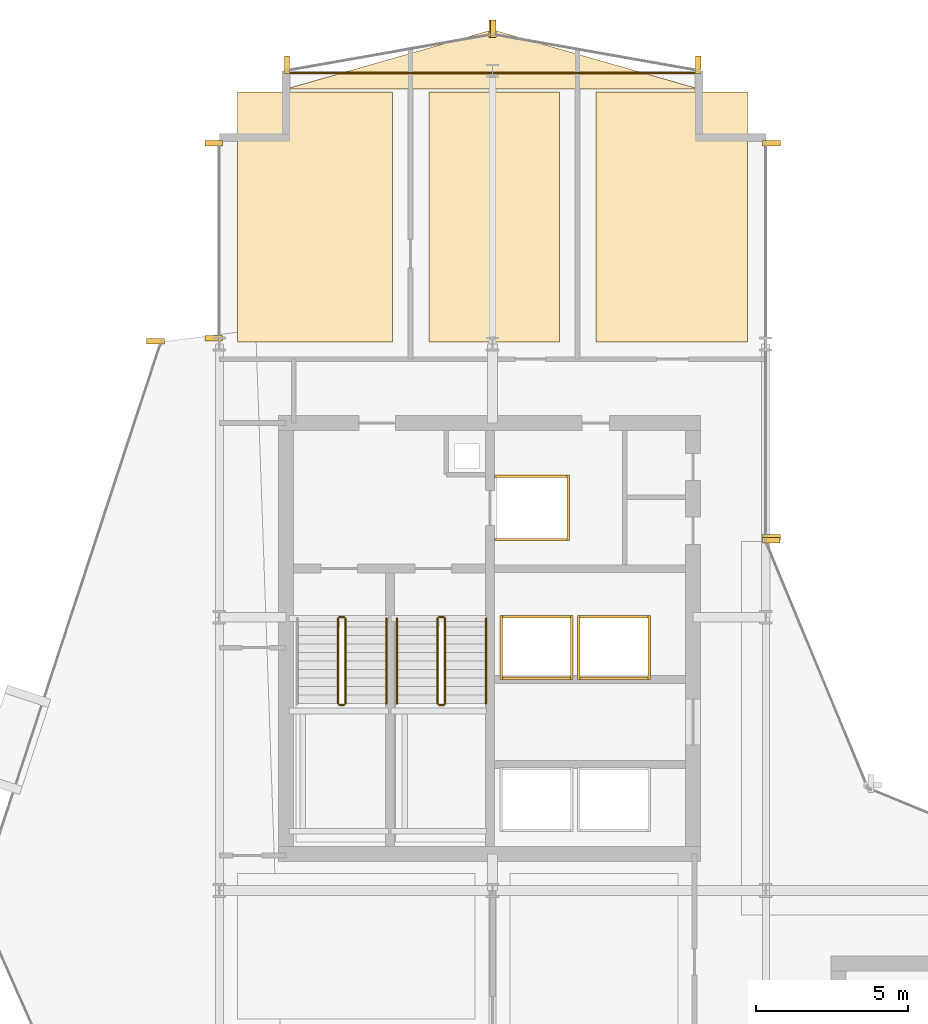
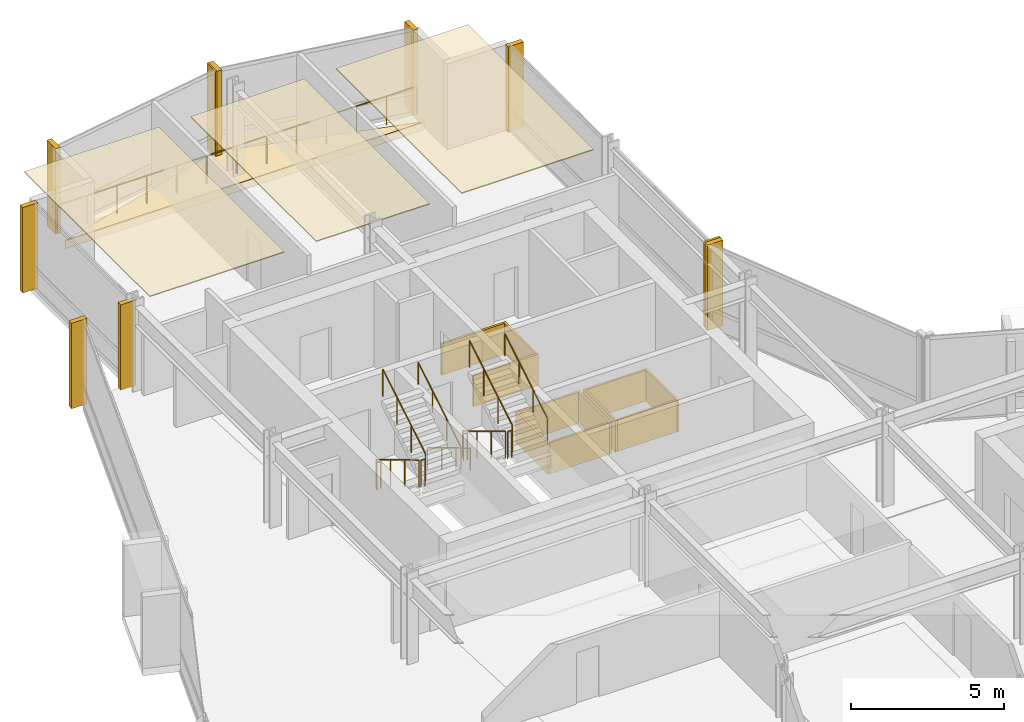
# One storey, part 29 of 29: 25 coverings, 12 railings.
"""IFC4 building model written with IfcOpenShell, lengths in metres."""

from ifc_helpers import new_model, si_unit, direction, frame, origin, origin_2d, place, context, subcontext, project, spatial, polyline, rectangle, circle, outline, extrude, material, layer, layer_set, type_object, element, save


model = new_model("IFC4")

# Units and contexts
model_context = context("Model", 3, precision=1e-05, world=origin(), true_north=direction((0.0, 1.0)))
body_context = subcontext(model_context, "Body", "Model", "MODEL_VIEW")
ifc_project = project(units=[si_unit("LENGTHUNIT", "METRE"), si_unit("AREAUNIT", "SQUARE_METRE"), si_unit("VOLUMEUNIT", "CUBIC_METRE"), si_unit("PLANEANGLEUNIT", "RADIAN"), si_unit("MASSUNIT", "GRAM", prefix="KILO")], contexts=[model_context])

# Site, building, storey
site_placement = place(None, origin())
site = spatial("IfcSite", under=ifc_project, at=site_placement, CompositionType="ELEMENT")
building_placement = place(site_placement, origin())
building = spatial("IfcBuilding", under=site, at=building_placement, Name="Solvaryn Broadcast Tower", CompositionType="ELEMENT")
storey_placement = place(building_placement, frame((0.0, 0.0, 128.5)))
storey = spatial("IfcBuildingStorey", under=building, at=storey_placement, Name="L31", CompositionType="ELEMENT", Elevation=128.5)

# Coverings
ifc_material_1 = material(Name="Micro-Perforated Acoustic Gypsum Ceiling", Category="concrete")
ifc_layer_1 = layer(ifc_material_1, 0.0400390625)
ifc_layer_set_1 = layer_set([ifc_layer_1], Name="CV-CEIL-ACOUSTIC")
covering_type_1 = type_object("IfcCoveringType", Name="CV-CEIL-ACOUSTIC", PredefinedType="CEILING", material=ifc_layer_set_1)
covering_1_placement = place(storey_placement, frame((0.0, 0.0, 3.3798828125)))
element("IfcCovering", 1, at=covering_1_placement, inside=storey, type_object=covering_type_1, Name="L31 Room Acoustic Ceiling 8", PredefinedType="CEILING", context=body_context, shape_type="SweptSolid", body=[
    extrude(outline(polyline([(9.60009765625, 45.070068359375), (14.699951171875, 45.070068359375), (14.699951171875, 53.300048828125), (9.60009765625, 53.300048828125), (9.60009765625, 45.070068359375)])), origin(), (0.0, 0.0, 1.0), 0.0400390625),
])
covering_2_placement = place(storey_placement, frame((0.0, 0.0, 3.3798828125)))
element("IfcCovering", 2, at=covering_2_placement, inside=storey, type_object=covering_type_1, Name="L31 Room Acoustic Ceiling 9", PredefinedType="CEILING", context=body_context, shape_type="SweptSolid", body=[
    extrude(outline(polyline([(15.89990234375, 45.070068359375), (20.199951171875, 45.070068359375), (20.199951171875, 53.300048828125), (15.89990234375, 53.300048828125), (15.89990234375, 45.070068359375)])), origin(), (0.0, 0.0, 1.0), 0.0400390625),
])
covering_3_placement = place(storey_placement, frame((0.0, 0.0, 3.3798828125)))
element("IfcCovering", 3, at=covering_3_placement, inside=storey, type_object=covering_type_1, Name="L31 Room Acoustic Ceiling 10", PredefinedType="CEILING", context=body_context, shape_type="SweptSolid", body=[
    extrude(outline(polyline([(21.39990234375, 45.070068359375), (26.39990234375, 45.070068359375), (26.39990234375, 53.300048828125), (21.39990234375, 53.300048828125), (21.39990234375, 45.070068359375)])), origin(), (0.0, 0.0, 1.0), 0.0400390625),
])
ifc_material_2 = material(Name="Fire-Rated Gypsum Shaftwall Liner", Category="concrete")
ifc_layer_2 = layer(ifc_material_2, 0.080078125)
ifc_layer_set_2 = layer_set([ifc_layer_2], Name="CV-SHAFT-LINER")
covering_type_2 = type_object("IfcCoveringType", Name="CV-SHAFT-LINER", PredefinedType="CLADDING", material=ifc_layer_set_2)
for number, where, z_axis, x_axis, name in (
    (4, (19.300048828125, 40.639892578125, 0.0), (0.0, 0.0, 1.0), (1.0, 0.0, 0.0), "L31 FL1 Hoistway Shaft Liner North"),
    (5, (19.300048828125, 38.56005859375, 0.0), (0.0, 0.0, 1.0), (1.0, 0.0, 0.0), "L31 FL1 Hoistway Shaft Liner South"),
):
    element("IfcCovering", number, at=place(storey_placement, frame(where, z_axis=z_axis, x_axis=x_axis)), inside=storey, type_object=covering_type_2, Name=name, PredefinedType="CLADDING", context=body_context, shape_type="SweptSolid", body=[
        extrude(rectangle(XDim=2.4599609375, YDim=0.080078125, at=origin_2d()), origin(), (0.0, 0.0, 1.0), 1.25),
    ])
covering_4_placement = place(storey_placement, frame((20.489990234375, 39.60009765625, 0.0), z_axis=(0.0, 0.0, 1.0), x_axis=(1.0, 0.0, 0.0)))
element("IfcCovering", 6, at=covering_4_placement, inside=storey, type_object=covering_type_2, Name="L31 FL1 Hoistway Shaft Liner East", PredefinedType="CLADDING", context=body_context, shape_type="SweptSolid", body=[
    extrude(rectangle(XDim=0.080078125, YDim=2.159912109375, at=origin_2d()), origin(), (0.0, 0.0, 1.0), 1.25),
])
for number, where, z_axis, x_axis, name in (
    (7, (19.449951171875, 36.014892578125, 0.0), (0.0, 0.0, 1.0), (1.0, 0.0, 0.0), "L31 PH3 Hoistway Shaft Liner North"),
    (8, (19.449951171875, 33.985107421875, 0.0), (0.0, 0.0, 1.0), (1.0, 0.0, 0.0), "L31 PH3 Hoistway Shaft Liner South"),
):
    element("IfcCovering", number, at=place(storey_placement, frame(where, z_axis=z_axis, x_axis=x_axis)), inside=storey, type_object=covering_type_2, Name=name, PredefinedType="CLADDING", context=body_context, shape_type="SweptSolid", body=[
        extrude(rectangle(XDim=2.409912109375, YDim=0.080078125, at=origin_2d()), origin(), (0.0, 0.0, 1.0), 1.25),
    ])
for number, where, z_axis, x_axis, name in (
    (9, (20.614990234375, 35.0, 0.0), (0.0, 0.0, 1.0), (1.0, 0.0, 0.0), "L31 PH3 Hoistway Shaft Liner East"),
    (10, (18.284912109375, 35.0, 0.0), (0.0, 0.0, 1.0), (1.0, 0.0, 0.0), "L31 PH3 Hoistway Shaft Liner West"),
):
    element("IfcCovering", number, at=place(storey_placement, frame(where, z_axis=z_axis, x_axis=x_axis)), inside=storey, type_object=covering_type_2, Name=name, PredefinedType="CLADDING", context=body_context, shape_type="SweptSolid", body=[
        extrude(rectangle(XDim=0.080078125, YDim=2.110107421875, at=origin_2d()), origin(), (0.0, 0.0, 1.0), 1.25),
    ])
for number, where, z_axis, x_axis, name in (
    (11, (22.0, 36.014892578125, 0.0), (0.0, 0.0, 1.0), (1.0, 0.0, 0.0), "L31 PH4 Hoistway Shaft Liner North"),
    (12, (22.0, 33.985107421875, 0.0), (0.0, 0.0, 1.0), (1.0, 0.0, 0.0), "L31 PH4 Hoistway Shaft Liner South"),
):
    element("IfcCovering", number, at=place(storey_placement, frame(where, z_axis=z_axis, x_axis=x_axis)), inside=storey, type_object=covering_type_2, Name=name, PredefinedType="CLADDING", context=body_context, shape_type="SweptSolid", body=[
        extrude(rectangle(XDim=2.409912109375, YDim=0.080078125, at=origin_2d()), origin(), (0.0, 0.0, 1.0), 1.25),
    ])
for number, where, z_axis, x_axis, name in (
    (13, (23.1650390625, 35.0, 0.0), (0.0, 0.0, 1.0), (1.0, 0.0, 0.0), "L31 PH4 Hoistway Shaft Liner East"),
    (14, (20.8349609375, 35.0, 0.0), (0.0, 0.0, 1.0), (1.0, 0.0, 0.0), "L31 PH4 Hoistway Shaft Liner West"),
):
    element("IfcCovering", number, at=place(storey_placement, frame(where, z_axis=z_axis, x_axis=x_axis)), inside=storey, type_object=covering_type_2, Name=name, PredefinedType="CLADDING", context=body_context, shape_type="SweptSolid", body=[
        extrude(rectangle(XDim=0.080078125, YDim=2.110107421875, at=origin_2d()), origin(), (0.0, 0.0, 1.0), 1.25),
    ])
ifc_material_3 = material(Name="Extruded Architectural Terracotta Fin", Category="masonry")
ifc_layer_3 = layer(ifc_material_3, 0.179931640625)
ifc_layer_set_3 = layer_set([ifc_layer_3], Name="CV-TC-FIN")
covering_type_3 = type_object("IfcCoveringType", Name="CV-TC-FIN", PredefinedType="USERDEFINED", material=ifc_layer_set_3)
for number, where, z_axis, x_axis, name in (
    (15, (6.898681640625, 45.0947265625, 0.0), (0.0, 0.0, 1.0), (1.0, 0.0, 0.0), "L31 Terracotta Vertical Fin FIN-L31-DR1-M00"),
    (16, (8.8125, 45.197021484375, 0.0), (0.0, 0.0, 1.0), (1.0, 0.0, 0.0), "L31 Terracotta Vertical Fin FIN-L31-W2-M00"),
    (17, (8.8125, 51.6201171875, 0.0), (0.0, 0.0, 1.0), (1.0, 0.0, 0.0), "L31 Terracotta Vertical Fin FIN-L31-W2-M01"),
    (18, (27.1875, 51.6201171875, 0.0), (0.0, 0.0, 1.0), (1.0, 0.0, 0.0), "L31 Terracotta Vertical Fin FIN-L31-IV-M00"),
    (19, (27.1875, 38.6298828125, 0.0), (0.0, 0.0, 1.0), (1.0, 0.0, 0.0), "L31 Terracotta Vertical Fin FIN-L31-IV-M01"),
    (20, (27.177978515625, 38.541259765625, 0.0), (0.0, 0.0, 1.0), (1.0, 0.0, 0.0), "L31 Terracotta Vertical Fin FIN-L31-CN2-M01"),
):
    element("IfcCovering", number, at=place(storey_placement, frame(where, z_axis=z_axis, x_axis=x_axis)), inside=storey, type_object=covering_type_3, Name=name, ObjectType="FIN", PredefinedType="USERDEFINED", context=body_context, shape_type="SweptSolid", body=[
        extrude(rectangle(XDim=0.580078125, YDim=0.179931640625, at=origin_2d()), origin(), (0.0, 0.0, 1.0), 3.419921875),
    ])
for number, where, z_axis, x_axis, name in (
    (21, (24.7705078125, 54.192626953125, 0.0), (0.0, 0.0, 1.0), (1.0, 0.0, 0.0), "L31 Terracotta Vertical Fin FIN-L31-NT1-M00"),
    (22, (18.029541015625, 55.38232421875, 0.0), (0.0, 0.0, 1.0), (1.0, 0.0, 0.0), "L31 Terracotta Vertical Fin FIN-L31-NT1-M01"),
    (23, (17.970458984375, 55.38232421875, 0.0), (0.0, 0.0, 1.0), (1.0, 0.0, 0.0), "L31 Terracotta Vertical Fin FIN-L31-NT2-M00"),
    (24, (11.2294921875, 54.192626953125, 0.0), (0.0, 0.0, 1.0), (1.0, 0.0, 0.0), "L31 Terracotta Vertical Fin FIN-L31-NT2-M01"),
):
    element("IfcCovering", number, at=place(storey_placement, frame(where, z_axis=z_axis, x_axis=x_axis)), inside=storey, type_object=covering_type_3, Name=name, ObjectType="FIN", PredefinedType="USERDEFINED", context=body_context, shape_type="SweptSolid", body=[
        extrude(rectangle(XDim=0.179931640625, YDim=0.580078125, at=origin_2d()), origin(), (0.0, 0.0, 1.0), 3.419921875),
    ])
ifc_material_4 = material(Name="Sculpted Architectural Terracotta Wave Fascia", Category="masonry")
ifc_layer_4 = layer(ifc_material_4, 0.340087890625)
ifc_layer_set_4 = layer_set([ifc_layer_4], Name="CV-WAVE-TRAY")
covering_type_4 = type_object("IfcCoveringType", Name="CV-WAVE-TRAY", PredefinedType="CLADDING", material=ifc_layer_set_4)
covering_5_placement = place(storey_placement, frame((0.0, 0.0, -0.300048828125)))
element("IfcCovering", 25, at=covering_5_placement, inside=storey, type_object=covering_type_4, Name="L31 North Curved Wing Deck", PredefinedType="CLADDING", context=body_context, shape_type="SweptSolid", body=[
    extrude(outline(polyline([(11.199951171875, 53.39990234375), (24.800048828125, 53.39990234375), (18.0, 55.35009765625), (11.199951171875, 53.39990234375)])), origin(), (0.0, 0.0, 1.0), 0.330078125),
])

# Railings
ifc_material_5 = material(Name="Painted Steel Stair Well Guard", Category="steel")
railing_type_1 = type_object("IfcRailingType", Name="RL-STAIR-GUARD", PredefinedType="BALUSTRADE", material=ifc_material_5)
railing_1_placement = place(storey_placement, frame((12.909912109375, 35.9599609375, 0.168212890625)))
element("IfcRailing", 26, at=railing_1_placement, inside=storey, type_object=railing_type_1, Name="L31 ST1 stair guard 1", PredefinedType="BALUSTRADE", context=body_context, shape_type="SweptSolid", body=[
    extrude(circle(Radius=0.02392578125, at=origin_2d()), frame((0.0, 0.0, 1.076171875), z_axis=(0.0, -0.857242210791, 0.514913383045), x_axis=(1.0, 0.0, 0.0)), (0.0, 0.0, 1.0), 3.266357421875),
    extrude(circle(Radius=0.02099609375, at=origin_2d()), origin(), (0.0, 0.0, 1.0), 1.052001953125),
    extrude(circle(Radius=0.02099609375, at=origin_2d()), frame((0.0, -0.933349609375, 0.560546875)), (0.0, 0.0, 1.0), 1.052001953125),
    extrude(circle(Radius=0.02099609375, at=origin_2d()), frame((0.0, -1.86669921875, 1.121337890625)), (0.0, 0.0, 1.0), 1.052001953125),
    extrude(circle(Radius=0.02099609375, at=origin_2d()), frame((0.0, -2.800048828125, 1.681884765625)), (0.0, 0.0, 1.0), 1.052001953125),
])
railing_2_placement = place(storey_placement, frame((12.9599609375, 33.110107421875, 1.85009765625)))
element("IfcRailing", 27, at=railing_2_placement, inside=storey, type_object=railing_type_1, Name="L31 ST1 stair guard 2", PredefinedType="BALUSTRADE", context=body_context, shape_type="SweptSolid", body=[
    extrude(circle(Radius=0.02392578125, at=origin_2d()), frame((0.0, 0.0, 1.076171875), z_axis=(1.0, 0.0, 0.0), x_axis=(0.0, 1.0, 0.0)), (0.0, 0.0, 1.0), 0.150146484375),
    extrude(circle(Radius=0.02099609375, at=origin_2d()), origin(), (0.0, 0.0, 1.0), 1.052001953125),
    extrude(circle(Radius=0.02099609375, at=origin_2d()), frame((0.150146484375, 0.0, 0.0)), (0.0, 0.0, 1.0), 1.052001953125),
])
railing_3_placement = place(storey_placement, frame((13.159912109375, 33.159912109375, 2.01806640625)))
element("IfcRailing", 28, at=railing_3_placement, inside=storey, type_object=railing_type_1, Name="L31 ST1 stair guard 3", PredefinedType="BALUSTRADE", context=body_context, shape_type="SweptSolid", body=[
    extrude(circle(Radius=0.02392578125, at=origin_2d()), frame((0.0, 0.0, 1.076171875), z_axis=(0.0, 0.857242210791, 0.514913383045), x_axis=(-1.0, 0.0, 0.0)), (0.0, 0.0, 1.0), 3.266357421875),
    extrude(circle(Radius=0.02099609375, at=origin_2d()), origin(), (0.0, 0.0, 1.0), 1.052001953125),
    extrude(circle(Radius=0.02099609375, at=origin_2d()), frame((0.0, 0.933349609375, 0.560546875)), (0.0, 0.0, 1.0), 1.052001953125),
    extrude(circle(Radius=0.02099609375, at=origin_2d()), frame((0.0, 1.86669921875, 1.121337890625)), (0.0, 0.0, 1.0), 1.052001953125),
    extrude(circle(Radius=0.02099609375, at=origin_2d()), frame((0.0, 2.800048828125, 1.681884765625)), (0.0, 0.0, 1.0), 1.052001953125),
])
railing_4_placement = place(storey_placement, frame((12.9599609375, 36.010009765625, 0.0)))
element("IfcRailing", 29, at=railing_4_placement, inside=storey, type_object=railing_type_1, Name="L31 ST1 stair guard 4", PredefinedType="BALUSTRADE", context=body_context, shape_type="SweptSolid", body=[
    extrude(circle(Radius=0.02392578125, at=origin_2d()), frame((0.0, 0.0, 1.076171875), z_axis=(1.0, 0.0, 0.0), x_axis=(0.0, 1.0, 0.0)), (0.0, 0.0, 1.0), 0.150146484375),
    extrude(circle(Radius=0.02099609375, at=origin_2d()), origin(), (0.0, 0.0, 1.0), 1.052001953125),
    extrude(circle(Radius=0.02099609375, at=origin_2d()), frame((0.150146484375, 0.0, 0.0)), (0.0, 0.0, 1.0), 1.052001953125),
])
railing_5_placement = place(storey_placement, frame((16.18994140625, 35.9599609375, 0.168212890625)))
element("IfcRailing", 30, at=railing_5_placement, inside=storey, type_object=railing_type_1, Name="L31 ST2 stair guard 1", PredefinedType="BALUSTRADE", context=body_context, shape_type="SweptSolid", body=[
    extrude(circle(Radius=0.02392578125, at=origin_2d()), frame((0.0, 0.0, 1.076171875), z_axis=(0.0, -0.857242210791, 0.514913383045), x_axis=(1.0, 0.0, 0.0)), (0.0, 0.0, 1.0), 3.266357421875),
    extrude(circle(Radius=0.02099609375, at=origin_2d()), origin(), (0.0, 0.0, 1.0), 1.052001953125),
    extrude(circle(Radius=0.02099609375, at=origin_2d()), frame((0.0, -0.933349609375, 0.560546875)), (0.0, 0.0, 1.0), 1.052001953125),
    extrude(circle(Radius=0.02099609375, at=origin_2d()), frame((0.0, -1.86669921875, 1.121337890625)), (0.0, 0.0, 1.0), 1.052001953125),
    extrude(circle(Radius=0.02099609375, at=origin_2d()), frame((0.0, -2.800048828125, 1.681884765625)), (0.0, 0.0, 1.0), 1.052001953125),
])
railing_6_placement = place(storey_placement, frame((16.239990234375, 33.110107421875, 1.85009765625)))
element("IfcRailing", 31, at=railing_6_placement, inside=storey, type_object=railing_type_1, Name="L31 ST2 stair guard 2", PredefinedType="BALUSTRADE", context=body_context, shape_type="SweptSolid", body=[
    extrude(circle(Radius=0.02392578125, at=origin_2d()), frame((0.0, 0.0, 1.076171875), z_axis=(1.0, 0.0, 0.0), x_axis=(0.0, 1.0, 0.0)), (0.0, 0.0, 1.0), 0.14990234375),
    extrude(circle(Radius=0.02099609375, at=origin_2d()), origin(), (0.0, 0.0, 1.0), 1.052001953125),
    extrude(circle(Radius=0.02099609375, at=origin_2d()), frame((0.14990234375, 0.0, 0.0)), (0.0, 0.0, 1.0), 1.052001953125),
])
railing_7_placement = place(storey_placement, frame((16.43994140625, 33.159912109375, 2.01806640625)))
element("IfcRailing", 32, at=railing_7_placement, inside=storey, type_object=railing_type_1, Name="L31 ST2 stair guard 3", PredefinedType="BALUSTRADE", context=body_context, shape_type="SweptSolid", body=[
    extrude(circle(Radius=0.02392578125, at=origin_2d()), frame((0.0, 0.0, 1.076171875), z_axis=(0.0, 0.857242210791, 0.514913383045), x_axis=(-1.0, 0.0, 0.0)), (0.0, 0.0, 1.0), 3.266357421875),
    extrude(circle(Radius=0.02099609375, at=origin_2d()), origin(), (0.0, 0.0, 1.0), 1.052001953125),
    extrude(circle(Radius=0.02099609375, at=origin_2d()), frame((0.0, 0.933349609375, 0.560546875)), (0.0, 0.0, 1.0), 1.052001953125),
    extrude(circle(Radius=0.02099609375, at=origin_2d()), frame((0.0, 1.86669921875, 1.121337890625)), (0.0, 0.0, 1.0), 1.052001953125),
    extrude(circle(Radius=0.02099609375, at=origin_2d()), frame((0.0, 2.800048828125, 1.681884765625)), (0.0, 0.0, 1.0), 1.052001953125),
])
railing_8_placement = place(storey_placement, frame((16.239990234375, 36.010009765625, 0.0)))
element("IfcRailing", 33, at=railing_8_placement, inside=storey, type_object=railing_type_1, Name="L31 ST2 stair guard 4", PredefinedType="BALUSTRADE", context=body_context, shape_type="SweptSolid", body=[
    extrude(circle(Radius=0.02392578125, at=origin_2d()), frame((0.0, 0.0, 1.076171875), z_axis=(1.0, 0.0, 0.0), x_axis=(0.0, 1.0, 0.0)), (0.0, 0.0, 1.0), 0.14990234375),
    extrude(circle(Radius=0.02099609375, at=origin_2d()), origin(), (0.0, 0.0, 1.0), 1.052001953125),
    extrude(circle(Radius=0.02099609375, at=origin_2d()), frame((0.14990234375, 0.0, 0.0)), (0.0, 0.0, 1.0), 1.052001953125),
])
ifc_material_6 = material(Name="Brushed Stainless Steel Tubular Handrail", Category="steel")
railing_type_2 = type_object("IfcRailingType", Name="RL-STAIR-HANDRAIL", PredefinedType="HANDRAIL", material=ifc_material_6)
railing_9_placement = place(storey_placement, frame((14.5, 33.159912109375, 2.01806640625)))
element("IfcRailing", 34, at=railing_9_placement, inside=storey, type_object=railing_type_2, Name="L31 ST1 stair handrail 2", PredefinedType="HANDRAIL", context=body_context, shape_type="SweptSolid", body=[
    extrude(circle(Radius=0.02392578125, at=origin_2d()), frame((0.0, 0.0, 0.8759765625), z_axis=(0.0, 0.857242210791, 0.514913383045), x_axis=(-1.0, 0.0, 0.0)), (0.0, 0.0, 1.0), 3.266357421875),
    extrude(circle(Radius=0.02099609375, at=origin_2d()), origin(), (0.0, 0.0, 1.0), 0.851806640625),
    extrude(circle(Radius=0.02099609375, at=origin_2d()), frame((0.0, 0.933349609375, 0.560546875)), (0.0, 0.0, 1.0), 0.851806640625),
    extrude(circle(Radius=0.02099609375, at=origin_2d()), frame((0.0, 1.86669921875, 1.121337890625)), (0.0, 0.0, 1.0), 0.851806640625),
    extrude(circle(Radius=0.02099609375, at=origin_2d()), frame((0.0, 2.800048828125, 1.681884765625)), (0.0, 0.0, 1.0), 0.851806640625),
])
railing_10_placement = place(storey_placement, frame((14.85009765625, 35.9599609375, 0.168212890625)))
element("IfcRailing", 35, at=railing_10_placement, inside=storey, type_object=railing_type_2, Name="L31 ST2 stair handrail 1", PredefinedType="HANDRAIL", context=body_context, shape_type="SweptSolid", body=[
    extrude(circle(Radius=0.02392578125, at=origin_2d()), frame((0.0, 0.0, 0.8759765625), z_axis=(0.0, -0.857242210791, 0.514913383045), x_axis=(1.0, 0.0, 0.0)), (0.0, 0.0, 1.0), 3.266357421875),
    extrude(circle(Radius=0.02099609375, at=origin_2d()), origin(), (0.0, 0.0, 1.0), 0.851806640625),
    extrude(circle(Radius=0.02099609375, at=origin_2d()), frame((0.0, -0.933349609375, 0.560546875)), (0.0, 0.0, 1.0), 0.851806640625),
    extrude(circle(Radius=0.02099609375, at=origin_2d()), frame((0.0, -1.86669921875, 1.121337890625)), (0.0, 0.0, 1.0), 0.851806640625),
    extrude(circle(Radius=0.02099609375, at=origin_2d()), frame((0.0, -2.800048828125, 1.681884765625)), (0.0, 0.0, 1.0), 0.851806640625),
])
railing_11_placement = place(storey_placement, frame((17.780029296875, 33.159912109375, 2.01806640625)))
element("IfcRailing", 36, at=railing_11_placement, inside=storey, type_object=railing_type_2, Name="L31 ST2 stair handrail 2", PredefinedType="HANDRAIL", context=body_context, shape_type="SweptSolid", body=[
    extrude(circle(Radius=0.02392578125, at=origin_2d()), frame((0.0, 0.0, 0.8759765625), z_axis=(0.0, 0.857242210791, 0.514913383045), x_axis=(-1.0, 0.0, 0.0)), (0.0, 0.0, 1.0), 3.266357421875),
    extrude(circle(Radius=0.02099609375, at=origin_2d()), origin(), (0.0, 0.0, 1.0), 0.851806640625),
    extrude(circle(Radius=0.02099609375, at=origin_2d()), frame((0.0, 0.933349609375, 0.560546875)), (0.0, 0.0, 1.0), 0.851806640625),
    extrude(circle(Radius=0.02099609375, at=origin_2d()), frame((0.0, 1.86669921875, 1.121337890625)), (0.0, 0.0, 1.0), 0.851806640625),
    extrude(circle(Radius=0.02099609375, at=origin_2d()), frame((0.0, 2.800048828125, 1.681884765625)), (0.0, 0.0, 1.0), 0.851806640625),
])
ifc_material_7 = material(Name="Stainless Steel and Laminated Glass Guard", Category="steel")
railing_type_3 = type_object("IfcRailingType", Name="RL-TER-1150", PredefinedType="BALUSTRADE", material=ifc_material_7)
railing_12_placement = place(storey_placement, frame((11.199951171875, 53.919921875, 0.0)))
element("IfcRailing", 37, at=railing_12_placement, inside=storey, type_object=railing_type_3, Name="L31 North Wing Spandrel Edge Guard", PredefinedType="BALUSTRADE", context=body_context, shape_type="SweptSolid", body=[
    extrude(circle(Radius=0.02392578125, at=origin_2d()), frame((0.0, 0.0, 1.1259765625), z_axis=(1.0, 0.0, 0.0), x_axis=(0.0, 1.0, 0.0)), (0.0, 0.0, 1.0), 13.60009765625),
    extrude(circle(Radius=0.02099609375, at=origin_2d()), origin(), (0.0, 0.0, 1.0), 1.101806640625),
    extrude(circle(Radius=0.02099609375, at=origin_2d()), frame((1.13330078125, 0.0, 0.0)), (0.0, 0.0, 1.0), 1.101806640625),
    extrude(circle(Radius=0.02099609375, at=origin_2d()), frame((2.2666015625, 0.0, 0.0)), (0.0, 0.0, 1.0), 1.101806640625),
    extrude(circle(Radius=0.02099609375, at=origin_2d()), frame((3.39990234375, 0.0, 0.0)), (0.0, 0.0, 1.0), 1.101806640625),
    extrude(circle(Radius=0.02099609375, at=origin_2d()), frame((4.533447265625, 0.0, 0.0)), (0.0, 0.0, 1.0), 1.101806640625),
    extrude(circle(Radius=0.02099609375, at=origin_2d()), frame((5.666748046875, 0.0, 0.0)), (0.0, 0.0, 1.0), 1.101806640625),
    extrude(circle(Radius=0.02099609375, at=origin_2d()), frame((6.800048828125, 0.0, 0.0)), (0.0, 0.0, 1.0), 1.101806640625),
    extrude(circle(Radius=0.02099609375, at=origin_2d()), frame((7.933349609375, 0.0, 0.0)), (0.0, 0.0, 1.0), 1.101806640625),
    extrude(circle(Radius=0.02099609375, at=origin_2d()), frame((9.066650390625, 0.0, 0.0)), (0.0, 0.0, 1.0), 1.101806640625),
    extrude(circle(Radius=0.02099609375, at=origin_2d()), frame((10.2001953125, 0.0, 0.0)), (0.0, 0.0, 1.0), 1.101806640625),
    extrude(circle(Radius=0.02099609375, at=origin_2d()), frame((11.33349609375, 0.0, 0.0)), (0.0, 0.0, 1.0), 1.101806640625),
    extrude(circle(Radius=0.02099609375, at=origin_2d()), frame((12.466796875, 0.0, 0.0)), (0.0, 0.0, 1.0), 1.101806640625),
    extrude(circle(Radius=0.02099609375, at=origin_2d()), frame((13.60009765625, 0.0, 0.0)), (0.0, 0.0, 1.0), 1.101806640625),
])

save(model, "model.ifc")
